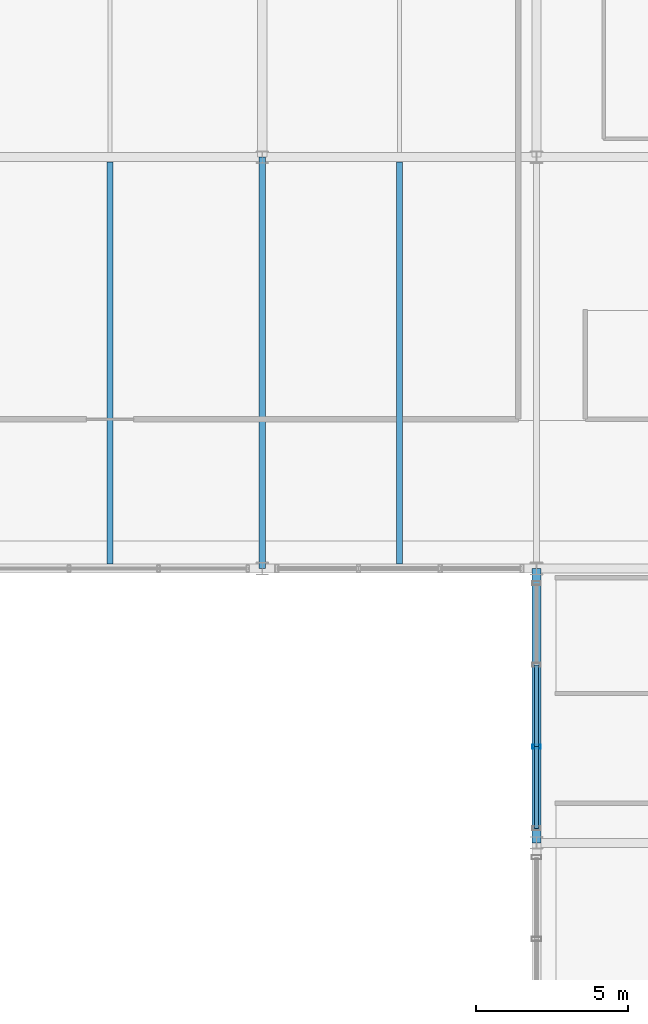
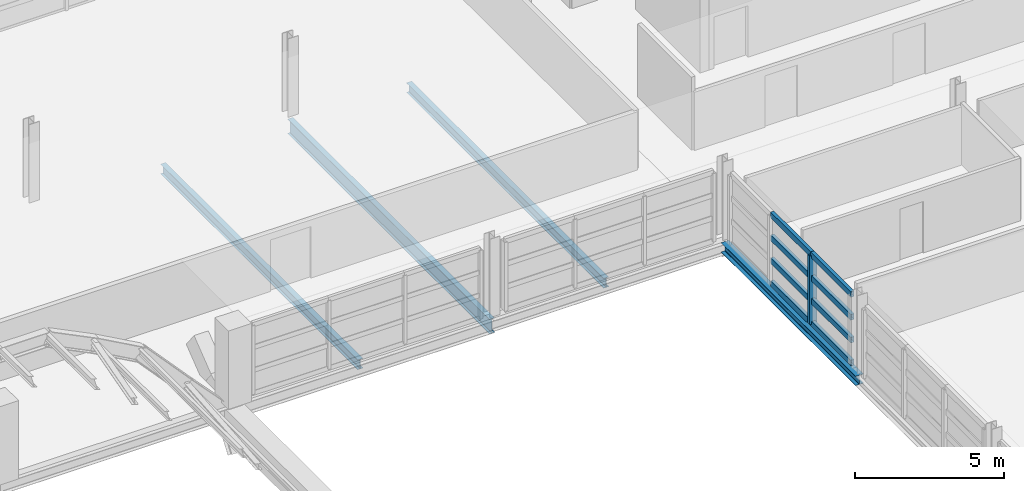
# One storey, part 47 of 86: 9 members, 4 beams, 1 element without a shape of its own.
"""IFC4 building model written with IfcOpenShell, lengths in metres."""

from ifc_helpers import new_model, si_unit, direction, frame, origin, origin_2d, place, context, subcontext, project, spatial, hollow_rectangle, i_section, extrude, material, material_profile, profile_set, type_object, element, aggregate, save


model = new_model("IFC4")

# Units and contexts
model_context = context("Model", 3, precision=1e-05, world=origin(), true_north=direction((0.0, 1.0)))
body_context = subcontext(model_context, "Body", "Model", "MODEL_VIEW")
ifc_project = project(units=[si_unit("LENGTHUNIT", "METRE"), si_unit("AREAUNIT", "SQUARE_METRE"), si_unit("VOLUMEUNIT", "CUBIC_METRE"), si_unit("PLANEANGLEUNIT", "RADIAN"), si_unit("MASSUNIT", "GRAM", prefix="KILO")], contexts=[model_context])

# Site, building, storey
site_placement = place(None, origin())
site = spatial("IfcSite", under=ifc_project, at=site_placement, CompositionType="ELEMENT")
building_placement = place(site_placement, origin())
building = spatial("IfcBuilding", under=site, at=building_placement, Name="Chuanluo Vaults Station", CompositionType="ELEMENT")
storey_placement = place(building_placement, frame((0.0, 0.0, 14.39990234375)))
storey = spatial("IfcBuildingStorey", under=building, at=storey_placement, Name="L03", CompositionType="ELEMENT", Elevation=14.39990234375)

# Beams
ifc_material_1 = material(Name="Steel Q355C", Category="steel")
ifc_material_profile_1 = material_profile(ifc_material_1, i_section(OverallWidth=0.300048828125, OverallDepth=0.389892578125, WebThickness=0.010009765625, FlangeThickness=0.01611328125, FilletRadius=0.02001953125, at=origin_2d()))
ifc_profile_set_1 = profile_set([ifc_material_profile_1], Name="Steel Q355C")
beam_type_1 = type_object("IfcBeamType", Name="BM-GRD-400", PredefinedType="BEAM", material=ifc_profile_set_1)
beam_1_placement = place(storey_placement, frame((145.0, 94.5, -0.414794921875), z_axis=(0.0, 1.0, 0.0), x_axis=(-1.0, 0.0, 0.0)))
element("IfcBeam", 1, at=beam_1_placement, inside=storey, type_object=beam_type_1, Name="Floor girder BM:GY:L03:0792", PredefinedType="BEAM", context=body_context, shape_type="SweptSolid", body=[
    extrude(i_section(OverallWidth=0.300048828125, OverallDepth=0.389892578125, WebThickness=0.010009765625, FlangeThickness=0.01611328125, FilletRadius=0.02001953125, at=origin_2d()), origin(), (0.0, 0.0, 1.0), 9.0),
])
ifc_material_2 = material(Name="Steel Q355C", Category="steel")
ifc_material_profile_2 = material_profile(ifc_material_2, i_section(OverallWidth=0.199951171875, OverallDepth=0.60009765625, WebThickness=0.010986328125, FlangeThickness=0.01708984375, FilletRadius=0.01806640625, at=origin_2d()))
ifc_profile_set_2 = profile_set([ifc_material_profile_2], Name="Steel Q355C")
beam_type_2 = type_object("IfcBeamType", Name="BM-GRD-600", PredefinedType="USERDEFINED", material=ifc_profile_set_2)
beam_2_placement = place(storey_placement, frame((136.0, 103.5, -0.52001953125), z_axis=(0.0, 1.0, 0.0), x_axis=(-1.0, 0.0, 0.0)))
element("IfcBeam", 2, at=beam_2_placement, inside=storey, type_object=beam_type_2, Name="Floor girder BM:GY:L03:0784", ObjectType="GIRDER", PredefinedType="USERDEFINED", context=body_context, shape_type="SweptSolid", body=[
    extrude(i_section(OverallWidth=0.199951171875, OverallDepth=0.60009765625, WebThickness=0.010986328125, FlangeThickness=0.01708984375, FilletRadius=0.01806640625, at=origin_2d()), origin(), (0.0, 0.0, 1.0), 13.5),
])
ifc_material_3 = material(Name="Steel Q355C", Category="steel")
ifc_material_profile_3 = material_profile(ifc_material_3, i_section(OverallWidth=0.199951171875, OverallDepth=0.39990234375, WebThickness=0.008056640625, FlangeThickness=0.012939453125, FilletRadius=0.01611328125, at=origin_2d()))
ifc_profile_set_3 = profile_set([ifc_material_profile_3], Name="Steel Q355C")
beam_type_3 = type_object("IfcBeamType", Name="BM-SEC-400", PredefinedType="BEAM", material=ifc_profile_set_3)
for number, where, z_axis, x_axis, name in (
    (3, (131.0, 103.655029296875, -0.419921875), (0.0, 1.0, 0.0), (-1.0, 0.0, 0.0), "Composite secondary joist 0230"),
    (4, (140.5, 103.655029296875, -0.419921875), (0.0, 1.0, 0.0), (-1.0, 0.0, 0.0), "Composite secondary joist 0234"),
):
    element("IfcBeam", number, at=place(storey_placement, frame(where, z_axis=z_axis, x_axis=x_axis)), inside=storey, type_object=beam_type_3, Name=name, PredefinedType="BEAM", context=body_context, shape_type="SweptSolid", body=[
        extrude(i_section(OverallWidth=0.199951171875, OverallDepth=0.39990234375, WebThickness=0.008056640625, FlangeThickness=0.012939453125, FilletRadius=0.01611328125, at=origin_2d()), origin(), (0.0, 0.0, 1.0), 13.18994140625),
    ])

# Curtain wall, members
ifc_material_4 = material(Name="Anodised aluminium 6063-T6", Category="aluminium")
curtain_wall_type = type_object("IfcCurtainWallType", Name="CW-SYS-26", PredefinedType="NOTDEFINED", material=ifc_material_4)
curtain_wall_placement = place(storey_placement, origin())
curtain_wall = element("IfcCurtainWall", 5, at=curtain_wall_placement, inside=storey, type_object=curtain_wall_type, Name="Operations L03 facade CW", PredefinedType="NOTDEFINED")
ifc_material_5 = material(Name="Anodised aluminium 6063-T6", Category="aluminium")
ifc_material_profile_4 = material_profile(ifc_material_5, hollow_rectangle(XDim=0.1298828125, YDim=0.280029296875, WallThickness=0.007080078125, at=origin_2d()))
ifc_profile_set_4 = profile_set([ifc_material_profile_4], Name="Anodised aluminium 6063-T6")
member_type_1 = type_object("IfcMemberType", Name="CWM-180", PredefinedType="MULLION", material=ifc_profile_set_4)
member_1_placement = place(storey_placement, frame((145.0, 97.658203125, 0.0), z_axis=(0.0, 0.0, 1.0), x_axis=(0.0, 1.0, 0.0)))
member_1 = element("IfcMember", 6, at=member_1_placement, type_object=member_type_1, Name="Operations L03 facade CW mullion 2", PredefinedType="MULLION", context=body_context, shape_type="SweptSolid", body=[
    extrude(hollow_rectangle(XDim=0.1298828125, YDim=0.280029296875, WallThickness=0.007080078125, at=origin_2d()), origin(), (0.0, 0.0, 1.0), 2.800048828125),
])
ifc_material_6 = material(Name="Anodised aluminium 6063-T6", Category="aluminium")
ifc_material_profile_5 = material_profile(ifc_material_6, hollow_rectangle(XDim=0.1298828125, YDim=0.22998046875, WallThickness=0.006103515625, at=origin_2d()))
ifc_profile_set_5 = profile_set([ifc_material_profile_5], Name="Anodised aluminium 6063-T6")
member_type_2 = type_object("IfcMemberType", Name="CWT-150", PredefinedType="USERDEFINED", material=ifc_profile_set_5)
member_2_placement = place(storey_placement, frame((145.0, 94.97509765625, 0.0), z_axis=(0.0, 1.0, 0.0), x_axis=(-1.0, 0.0, 0.0)))
member_2 = element("IfcMember", 7, at=member_2_placement, type_object=member_type_2, Name="Operations L03 facade CW transom 1.1", ObjectType="TRANSOM", PredefinedType="USERDEFINED", context=body_context, shape_type="SweptSolid", body=[
    extrude(hollow_rectangle(XDim=0.1298828125, YDim=0.22998046875, WallThickness=0.006103515625, at=origin_2d()), origin(), (0.0, 0.0, 1.0), 2.68310546875),
])
member_3_placement = place(storey_placement, frame((145.0, 94.97509765625, 0.933349609375), z_axis=(0.0, 1.0, 0.0), x_axis=(-1.0, 0.0, 0.0)))
member_3 = element("IfcMember", 8, at=member_3_placement, type_object=member_type_2, Name="Operations L03 facade CW transom 1.2", ObjectType="TRANSOM", PredefinedType="USERDEFINED", context=body_context, shape_type="SweptSolid", body=[
    extrude(hollow_rectangle(XDim=0.1298828125, YDim=0.22998046875, WallThickness=0.006103515625, at=origin_2d()), origin(), (0.0, 0.0, 1.0), 2.68310546875),
])
member_4_placement = place(storey_placement, frame((145.0, 94.97509765625, 1.86669921875), z_axis=(0.0, 1.0, 0.0), x_axis=(-1.0, 0.0, 0.0)))
member_4 = element("IfcMember", 9, at=member_4_placement, type_object=member_type_2, Name="Operations L03 facade CW transom 1.3", ObjectType="TRANSOM", PredefinedType="USERDEFINED", context=body_context, shape_type="SweptSolid", body=[
    extrude(hollow_rectangle(XDim=0.1298828125, YDim=0.22998046875, WallThickness=0.006103515625, at=origin_2d()), origin(), (0.0, 0.0, 1.0), 2.68310546875),
])
member_5_placement = place(storey_placement, frame((145.0, 94.97509765625, 2.800048828125), z_axis=(0.0, 1.0, 0.0), x_axis=(-1.0, 0.0, 0.0)))
member_5 = element("IfcMember", 10, at=member_5_placement, type_object=member_type_2, Name="Operations L03 facade CW transom 1.4", ObjectType="TRANSOM", PredefinedType="USERDEFINED", context=body_context, shape_type="SweptSolid", body=[
    extrude(hollow_rectangle(XDim=0.1298828125, YDim=0.22998046875, WallThickness=0.006103515625, at=origin_2d()), origin(), (0.0, 0.0, 1.0), 2.68310546875),
])
member_6_placement = place(storey_placement, frame((145.0, 97.658203125, 0.0), z_axis=(0.0, 1.0, 0.0), x_axis=(-1.0, 0.0, 0.0)))
member_6 = element("IfcMember", 11, at=member_6_placement, type_object=member_type_2, Name="Operations L03 facade CW transom 2.1", ObjectType="TRANSOM", PredefinedType="USERDEFINED", context=body_context, shape_type="SweptSolid", body=[
    extrude(hollow_rectangle(XDim=0.1298828125, YDim=0.22998046875, WallThickness=0.006103515625, at=origin_2d()), origin(), (0.0, 0.0, 1.0), 2.68359375),
])
member_7_placement = place(storey_placement, frame((145.0, 97.658203125, 0.933349609375), z_axis=(0.0, 1.0, 0.0), x_axis=(-1.0, 0.0, 0.0)))
member_7 = element("IfcMember", 12, at=member_7_placement, type_object=member_type_2, Name="Operations L03 facade CW transom 2.2", ObjectType="TRANSOM", PredefinedType="USERDEFINED", context=body_context, shape_type="SweptSolid", body=[
    extrude(hollow_rectangle(XDim=0.1298828125, YDim=0.22998046875, WallThickness=0.006103515625, at=origin_2d()), origin(), (0.0, 0.0, 1.0), 2.68359375),
])
member_8_placement = place(storey_placement, frame((145.0, 97.658203125, 1.86669921875), z_axis=(0.0, 1.0, 0.0), x_axis=(-1.0, 0.0, 0.0)))
member_8 = element("IfcMember", 13, at=member_8_placement, type_object=member_type_2, Name="Operations L03 facade CW transom 2.3", ObjectType="TRANSOM", PredefinedType="USERDEFINED", context=body_context, shape_type="SweptSolid", body=[
    extrude(hollow_rectangle(XDim=0.1298828125, YDim=0.22998046875, WallThickness=0.006103515625, at=origin_2d()), origin(), (0.0, 0.0, 1.0), 2.68359375),
])
member_9_placement = place(storey_placement, frame((145.0, 97.658203125, 2.800048828125), z_axis=(0.0, 1.0, 0.0), x_axis=(-1.0, 0.0, 0.0)))
member_9 = element("IfcMember", 14, at=member_9_placement, type_object=member_type_2, Name="Operations L03 facade CW transom 2.4", ObjectType="TRANSOM", PredefinedType="USERDEFINED", context=body_context, shape_type="SweptSolid", body=[
    extrude(hollow_rectangle(XDim=0.1298828125, YDim=0.22998046875, WallThickness=0.006103515625, at=origin_2d()), origin(), (0.0, 0.0, 1.0), 2.68359375),
])
aggregate(curtain_wall, [member_1, member_2, member_3, member_4, member_5, member_6, member_7, member_8, member_9])

save(model, "model.ifc")
